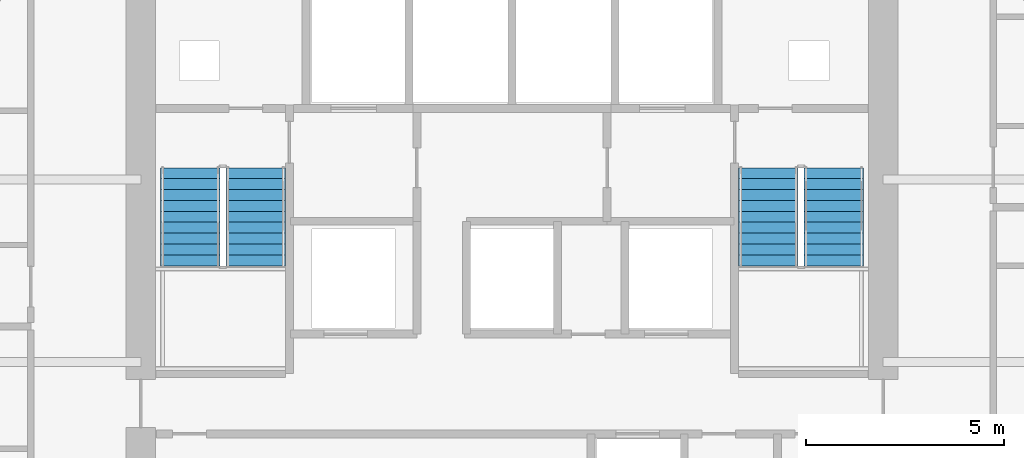
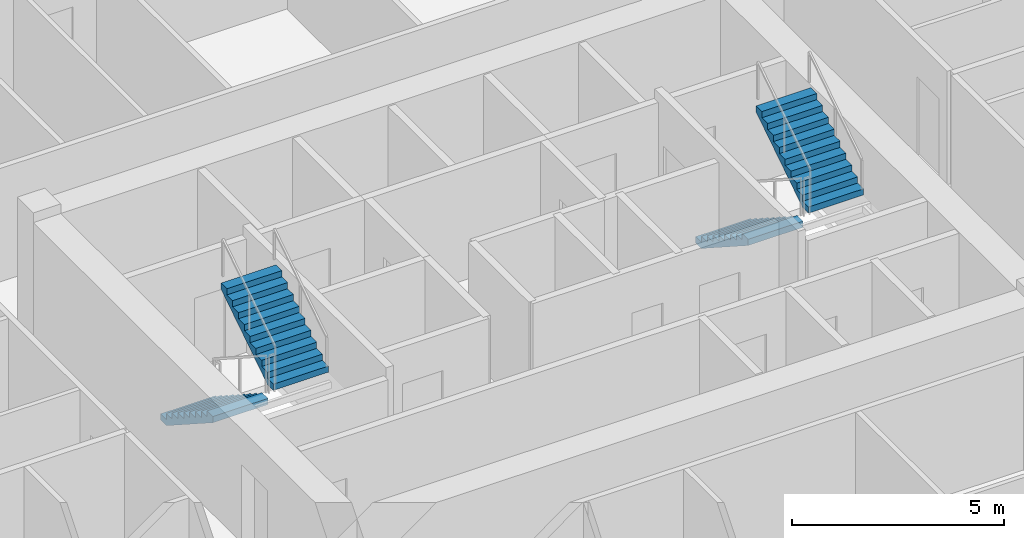
# One storey, part 8 of 11: 4 stair flights, 2 elements without a shape of their own.
"""IFC4 building model written with IfcOpenShell, lengths in metres."""

from ifc_helpers import new_model, si_unit, direction, frame, origin, place, context, subcontext, project, spatial, polyline, outline, extrude, material, type_object, element, aggregate, save


model = new_model("IFC4")

# Units and contexts
model_context = context("Model", 3, precision=1e-05, world=origin(), true_north=direction((0.0, 1.0)))
body_context = subcontext(model_context, "Body", "Model", "MODEL_VIEW")
ifc_project = project(units=[si_unit("LENGTHUNIT", "METRE"), si_unit("AREAUNIT", "SQUARE_METRE"), si_unit("VOLUMEUNIT", "CUBIC_METRE"), si_unit("PLANEANGLEUNIT", "RADIAN"), si_unit("MASSUNIT", "GRAM", prefix="KILO")], contexts=[model_context])

# Site, building, storey
site_placement = place(None, origin())
site = spatial("IfcSite", under=ifc_project, at=site_placement, CompositionType="ELEMENT")
building_placement = place(site_placement, origin())
building = spatial("IfcBuilding", under=site, at=building_placement, Name="Cinnabar Lancet Tower", CompositionType="ELEMENT")
storey_placement = place(building_placement, frame((0.0, 0.0, 144.550048828125)))
storey = spatial("IfcBuildingStorey", under=building, at=storey_placement, Name="L38", CompositionType="ELEMENT", Elevation=144.550048828125)

# Stair, stair flights
ifc_material_1 = material(Name="Concrete C40/50", Category="concrete")
stair_type = type_object("IfcStairType", Name="ST-CORE", PredefinedType="HALF_TURN_STAIR", material=ifc_material_1)
stair_1_placement = place(storey_placement, origin())
stair_1 = element("IfcStair", 1, at=stair_1_placement, inside=storey, type_object=stair_type, Name="L38 ST-1", PredefinedType="HALF_TURN_STAIR")
ifc_material_2 = material(Name="Concrete C40/50", Category="concrete")
stair_flight_type = type_object("IfcStairFlightType", Name="FLIGHT-CORE", PredefinedType="STRAIGHT", material=ifc_material_2)
stair_flight_1_placement = place(storey_placement, frame((24.27490234375, 28.39990234375, 0.0), z_axis=(0.0, 0.0, 1.0), x_axis=(0.0, -1.0, 0.0)))
stair_flight_1 = element("IfcStairFlight", 2, at=stair_flight_1_placement, type_object=stair_flight_type, Name="ST-1 flight 1", NumberOfRisers=10, NumberOfTreads=9, PredefinedType="STRAIGHT", RiserHeight=0.1775, TreadLength=0.275, context=body_context, shape_type="SweptSolid", body=[
    extrude(outline(polyline([(0.0, 0.0), (0.0, 0.177490234375), (0.27490234375, 0.177490234375), (0.27490234375, 0.35498046875), (0.550048828125, 0.35498046875), (0.550048828125, 0.532470703125), (0.824951171875, 0.532470703125), (0.824951171875, 0.7099609375), (1.10009765625, 0.7099609375), (1.10009765625, 0.887451171875), (1.375, 0.887451171875), (1.375, 1.06494140625), (1.64990234375, 1.06494140625), (1.64990234375, 1.242431640625), (1.925048828125, 1.242431640625), (1.925048828125, 1.419921875), (2.199951171875, 1.419921875), (2.199951171875, 1.597412109375), (2.47509765625, 1.597412109375), (2.47509765625, 1.77490234375), (2.47509765625, 1.419189453125), (0.2763671875, 0.0), (0.0, 0.0)])), frame((0.0, 0.75, 0.0), z_axis=(0.0, -1.0, 0.0), x_axis=(1.0, 0.0, 0.0)), (0.0, 0.0, 1.0), 1.5),
])
stair_flight_2_placement = place(storey_placement, frame((25.925048828125, 25.925048828125, 1.77490234375), z_axis=(0.0, 0.0, 1.0), x_axis=(0.0, 1.0, 0.0)))
stair_flight_2 = element("IfcStairFlight", 3, at=stair_flight_2_placement, type_object=stair_flight_type, Name="ST-1 flight 2", NumberOfRisers=10, NumberOfTreads=9, PredefinedType="STRAIGHT", RiserHeight=0.1775, TreadLength=0.275, context=body_context, shape_type="SweptSolid", body=[
    extrude(outline(polyline([(0.0, 0.0), (0.0, 0.177490234375), (0.27490234375, 0.177490234375), (0.27490234375, 0.35498046875), (0.550048828125, 0.35498046875), (0.550048828125, 0.532470703125), (0.824951171875, 0.532470703125), (0.824951171875, 0.7099609375), (1.10009765625, 0.7099609375), (1.10009765625, 0.887451171875), (1.375, 0.887451171875), (1.375, 1.06494140625), (1.64990234375, 1.06494140625), (1.64990234375, 1.242431640625), (1.925048828125, 1.242431640625), (1.925048828125, 1.419921875), (2.199951171875, 1.419921875), (2.199951171875, 1.597412109375), (2.47509765625, 1.597412109375), (2.47509765625, 1.77490234375), (2.47509765625, 1.419189453125), (0.2763671875, 0.0), (0.0, 0.0)])), frame((0.0, 0.75, 0.0), z_axis=(0.0, -1.0, 0.0), x_axis=(1.0, 0.0, 0.0)), (0.0, 0.0, 1.0), 1.5),
])
aggregate(stair_1, [stair_flight_1, stair_flight_2])

stair_2_placement = place(storey_placement, origin())
stair_2 = element("IfcStair", 4, at=stair_2_placement, inside=storey, type_object=stair_type, Name="L38 ST-2", PredefinedType="HALF_TURN_STAIR")
stair_flight_3_placement = place(storey_placement, frame((38.875, 28.39990234375, 0.0), z_axis=(0.0, 0.0, 1.0), x_axis=(0.0, -1.0, 0.0)))
stair_flight_3 = element("IfcStairFlight", 5, at=stair_flight_3_placement, type_object=stair_flight_type, Name="ST-2 flight 1", NumberOfRisers=10, NumberOfTreads=9, PredefinedType="STRAIGHT", RiserHeight=0.1775, TreadLength=0.275, context=body_context, shape_type="SweptSolid", body=[
    extrude(outline(polyline([(0.0, 0.0), (0.0, 0.177490234375), (0.27490234375, 0.177490234375), (0.27490234375, 0.35498046875), (0.550048828125, 0.35498046875), (0.550048828125, 0.532470703125), (0.824951171875, 0.532470703125), (0.824951171875, 0.7099609375), (1.10009765625, 0.7099609375), (1.10009765625, 0.887451171875), (1.375, 0.887451171875), (1.375, 1.06494140625), (1.64990234375, 1.06494140625), (1.64990234375, 1.242431640625), (1.925048828125, 1.242431640625), (1.925048828125, 1.419921875), (2.199951171875, 1.419921875), (2.199951171875, 1.597412109375), (2.47509765625, 1.597412109375), (2.47509765625, 1.77490234375), (2.47509765625, 1.419189453125), (0.2763671875, 0.0), (0.0, 0.0)])), frame((0.0, 0.75, 0.0), z_axis=(0.0, -1.0, 0.0), x_axis=(1.0, 0.0, 0.0)), (0.0, 0.0, 1.0), 1.5),
])
stair_flight_4_placement = place(storey_placement, frame((40.52490234375, 25.925048828125, 1.77490234375), z_axis=(0.0, 0.0, 1.0), x_axis=(0.0, 1.0, 0.0)))
stair_flight_4 = element("IfcStairFlight", 6, at=stair_flight_4_placement, type_object=stair_flight_type, Name="ST-2 flight 2", NumberOfRisers=10, NumberOfTreads=9, PredefinedType="STRAIGHT", RiserHeight=0.1775, TreadLength=0.275, context=body_context, shape_type="SweptSolid", body=[
    extrude(outline(polyline([(0.0, 0.0), (0.0, 0.177490234375), (0.27490234375, 0.177490234375), (0.27490234375, 0.35498046875), (0.550048828125, 0.35498046875), (0.550048828125, 0.532470703125), (0.824951171875, 0.532470703125), (0.824951171875, 0.7099609375), (1.10009765625, 0.7099609375), (1.10009765625, 0.887451171875), (1.375, 0.887451171875), (1.375, 1.06494140625), (1.64990234375, 1.06494140625), (1.64990234375, 1.242431640625), (1.925048828125, 1.242431640625), (1.925048828125, 1.419921875), (2.199951171875, 1.419921875), (2.199951171875, 1.597412109375), (2.47509765625, 1.597412109375), (2.47509765625, 1.77490234375), (2.47509765625, 1.419189453125), (0.2763671875, 0.0), (0.0, 0.0)])), frame((0.0, 0.75, 0.0), z_axis=(0.0, -1.0, 0.0), x_axis=(1.0, 0.0, 0.0)), (0.0, 0.0, 1.0), 1.5),
])
aggregate(stair_2, [stair_flight_3, stair_flight_4])

save(model, "model.ifc")
